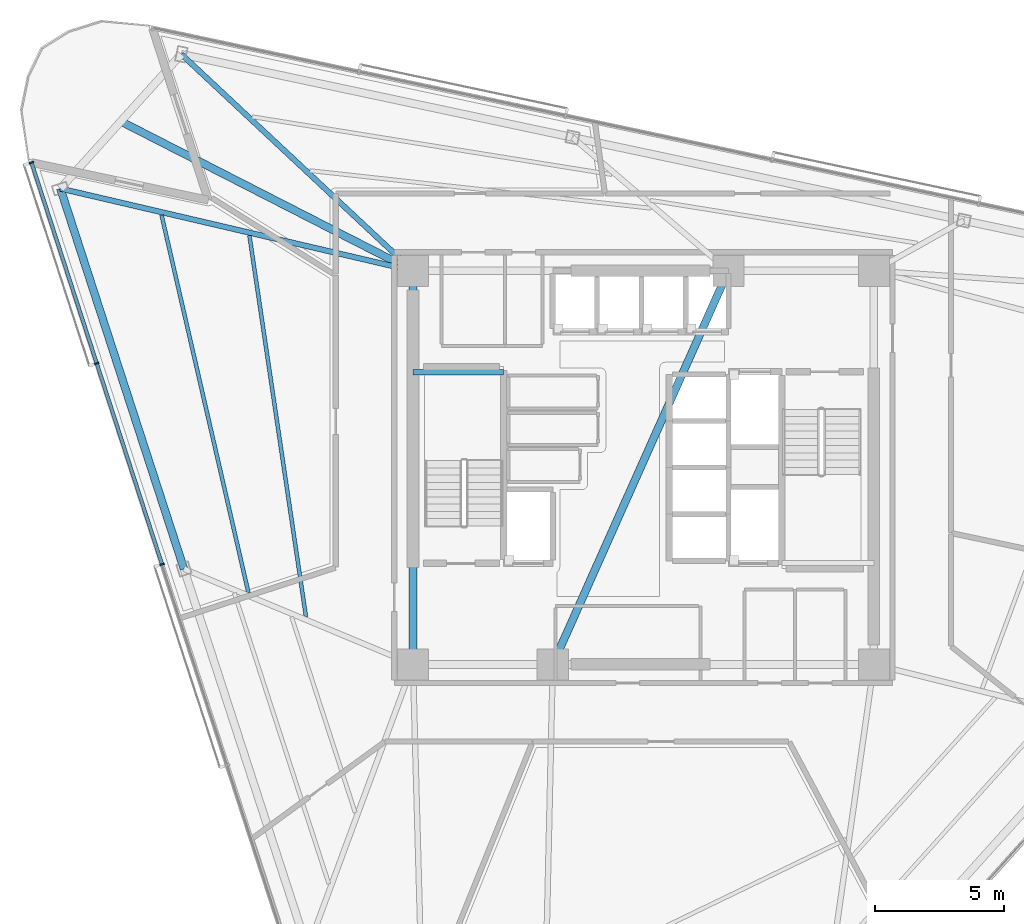
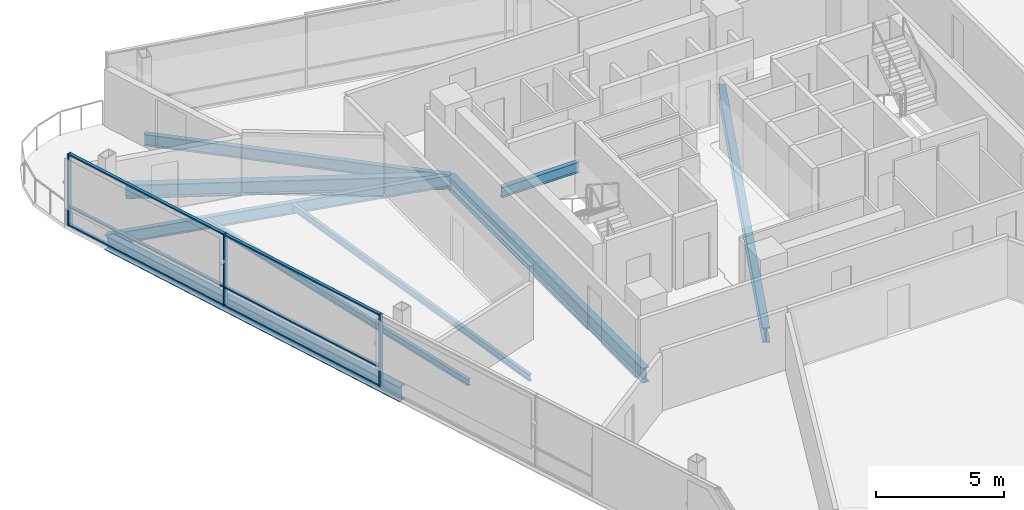
# One storey, part 5 of 17: 9 beams, 9 members, 1 element without a shape of its own.
"""IFC4 building model written with IfcOpenShell, lengths in metres."""

from ifc_helpers import new_model, si_unit, direction, frame, origin, origin_2d, place, context, subcontext, project, spatial, rectangle, i_section, extrude, material, layer, layer_set, material_profile, profile_set, type_object, element, aggregate, save


model = new_model("IFC4")

# Units and contexts
model_context = context("Model", 3, precision=1e-05, world=origin(), true_north=direction((0.0, 1.0)))
body_context = subcontext(model_context, "Body", "Model", "MODEL_VIEW")
ifc_project = project(units=[si_unit("LENGTHUNIT", "METRE"), si_unit("AREAUNIT", "SQUARE_METRE"), si_unit("VOLUMEUNIT", "CUBIC_METRE"), si_unit("PLANEANGLEUNIT", "RADIAN"), si_unit("MASSUNIT", "GRAM", prefix="KILO")], contexts=[model_context])

# Site, building, storey
site_placement = place(None, origin())
site = spatial("IfcSite", under=ifc_project, at=site_placement, CompositionType="ELEMENT")
building_placement = place(site_placement, origin())
building = spatial("IfcBuilding", under=site, at=building_placement, Name="Tharavind Bronze Gate", CompositionType="ELEMENT")
storey_placement = place(building_placement, frame((0.0, 0.0, 207.64990234375)))
storey = spatial("IfcBuildingStorey", under=building, at=storey_placement, Name="L53", CompositionType="ELEMENT", Elevation=207.64990234375)

# Curtain wall, members
ifc_material_1 = material(Name="Anodised Bronze Aluminium", Category="aluminium")
ifc_layer = layer(ifc_material_1, 0.219970703125)
ifc_layer_set = layer_set([ifc_layer], Name="Anodised Bronze Aluminium")
curtain_wall_type = type_object("IfcCurtainWallType", Name="UNITISED CURTAIN WALL MID OFFICE", PredefinedType="USERDEFINED", material=ifc_layer_set)
curtain_wall_placement = place(storey_placement, origin())
curtain_wall = element("IfcCurtainWall", 1, at=curtain_wall_placement, inside=storey, type_object=curtain_wall_type, Name="L53 unitised curtain wall mid office CW-L53-S1", ObjectType="UNITISED CURTAIN WALL", PredefinedType="USERDEFINED")
member_type_1 = type_object("IfcMemberType", Name="CURTAIN WALL BRONZE MULLION 65X180", PredefinedType="MULLION", material=ifc_material_1)
member_1_placement = place(storey_placement, frame((-23.630126953125, 11.780517578125, 0.000244140625), z_axis=(0.0, 0.0, 1.0), x_axis=(0.309016994375, -0.951056516295, 0.0)))
member_1 = element("IfcMember", 2, at=member_1_placement, type_object=member_type_1, Name="CW-L53-S1 mullion 1", PredefinedType="MULLION", context=body_context, shape_type="SweptSolid", body=[
    extrude(rectangle(XDim=0.06494140625, YDim=0.179931640625, at=origin_2d()), origin(), (0.0, 0.0, 1.0), 3.419921875),
])
member_2_placement = place(storey_placement, frame((-21.10986328125, 4.02392578125, 0.000244140625), z_axis=(0.0, 0.0, 1.0), x_axis=(0.309016994375, -0.951056516295, 0.0)))
member_2 = element("IfcMember", 3, at=member_2_placement, type_object=member_type_1, Name="CW-L53-S1 mullion 2", PredefinedType="MULLION", context=body_context, shape_type="SweptSolid", body=[
    extrude(rectangle(XDim=0.06494140625, YDim=0.179931640625, at=origin_2d()), origin(), (0.0, 0.0, 1.0), 3.419921875),
])
member_3_placement = place(storey_placement, frame((-18.589599609375, -3.732666015625, 0.000244140625), z_axis=(0.0, 0.0, 1.0), x_axis=(0.309016994375, -0.951056516295, 0.0)))
member_3 = element("IfcMember", 4, at=member_3_placement, type_object=member_type_1, Name="CW-L53-S1 mullion 3", PredefinedType="MULLION", context=body_context, shape_type="SweptSolid", body=[
    extrude(rectangle(XDim=0.06494140625, YDim=0.179931640625, at=origin_2d()), origin(), (0.0, 0.0, 1.0), 3.419921875),
])
member_type_2 = type_object("IfcMemberType", Name="CURTAIN WALL BRONZE TRANSOM 65X140", PredefinedType="USERDEFINED", material=ifc_material_1)
member_4_placement = place(storey_placement, frame((-22.3701171875, 7.902099609375, 0.000244140625), z_axis=(0.0, 0.0, 1.0), x_axis=(0.309016994375, -0.951056516295, 0.0)))
member_4 = element("IfcMember", 5, at=member_4_placement, type_object=member_type_2, Name="CW-L53-S1 transom TB1", ObjectType="TRANSOM", PredefinedType="USERDEFINED", context=body_context, shape_type="SweptSolid", body=[
    extrude(rectangle(XDim=8.102783203125, YDim=0.139892578125, at=origin_2d()), origin(), (0.0, 0.0, 1.0), 0.06494140625),
])
member_5_placement = place(storey_placement, frame((-22.3701171875, 7.902099609375, 0.86767578125), z_axis=(0.0, 0.0, 1.0), x_axis=(0.309016994375, -0.951056516295, 0.0)))
member_5 = element("IfcMember", 6, at=member_5_placement, type_object=member_type_2, Name="CW-L53-S1 transom TS1", ObjectType="TRANSOM", PredefinedType="USERDEFINED", context=body_context, shape_type="SweptSolid", body=[
    extrude(rectangle(XDim=8.102783203125, YDim=0.139892578125, at=origin_2d()), origin(), (0.0, 0.0, 1.0), 0.06494140625),
])
member_6_placement = place(storey_placement, frame((-22.3701171875, 7.902099609375, 3.355224609375), z_axis=(0.0, 0.0, 1.0), x_axis=(0.309016994375, -0.951056516295, 0.0)))
member_6 = element("IfcMember", 7, at=member_6_placement, type_object=member_type_2, Name="CW-L53-S1 transom TT1", ObjectType="TRANSOM", PredefinedType="USERDEFINED", context=body_context, shape_type="SweptSolid", body=[
    extrude(rectangle(XDim=8.102783203125, YDim=0.139892578125, at=origin_2d()), origin(), (0.0, 0.0, 1.0), 0.06494140625),
])
member_7_placement = place(storey_placement, frame((-19.849853515625, 0.145751953125, 0.000244140625), z_axis=(0.0, 0.0, 1.0), x_axis=(0.309016994375, -0.951056516295, 0.0)))
member_7 = element("IfcMember", 8, at=member_7_placement, type_object=member_type_2, Name="CW-L53-S1 transom TB2", ObjectType="TRANSOM", PredefinedType="USERDEFINED", context=body_context, shape_type="SweptSolid", body=[
    extrude(rectangle(XDim=8.102783203125, YDim=0.139892578125, at=origin_2d()), origin(), (0.0, 0.0, 1.0), 0.06494140625),
])
member_8_placement = place(storey_placement, frame((-19.849853515625, 0.145751953125, 0.86767578125), z_axis=(0.0, 0.0, 1.0), x_axis=(0.309016994375, -0.951056516295, 0.0)))
member_8 = element("IfcMember", 9, at=member_8_placement, type_object=member_type_2, Name="CW-L53-S1 transom TS2", ObjectType="TRANSOM", PredefinedType="USERDEFINED", context=body_context, shape_type="SweptSolid", body=[
    extrude(rectangle(XDim=8.102783203125, YDim=0.139892578125, at=origin_2d()), origin(), (0.0, 0.0, 1.0), 0.06494140625),
])
member_9_placement = place(storey_placement, frame((-19.849853515625, 0.145751953125, 3.355224609375), z_axis=(0.0, 0.0, 1.0), x_axis=(0.309016994375, -0.951056516295, 0.0)))
member_9 = element("IfcMember", 10, at=member_9_placement, type_object=member_type_2, Name="CW-L53-S1 transom TT2", ObjectType="TRANSOM", PredefinedType="USERDEFINED", context=body_context, shape_type="SweptSolid", body=[
    extrude(rectangle(XDim=8.102783203125, YDim=0.139892578125, at=origin_2d()), origin(), (0.0, 0.0, 1.0), 0.06494140625),
])
aggregate(curtain_wall, [member_1, member_2, member_3, member_4, member_5, member_6, member_7, member_8, member_9])

# Beams
ifc_material_2 = material(Name="Steel S355", Category="steel")
ifc_material_profile_1 = material_profile(ifc_material_2, i_section(OverallWidth=0.300048828125, OverallDepth=0.64990234375, WebThickness=0.01611328125, FlangeThickness=0.031005859375, at=origin_2d()), Name="HE650B")
ifc_profile_set_1 = profile_set([ifc_material_profile_1], Name="Steel S355")
beam_type_1 = type_object("IfcBeamType", Name="PRIMARY GIRDER HE650B", PredefinedType="USERDEFINED", material=ifc_profile_set_1)
beam_1_placement = place(storey_placement, frame((-8.89990234375, 7.60009765625, -0.5048828125), z_axis=(-0.890281411762, 0.455410812202, 0.0), x_axis=(-0.455410812202, -0.890281411762, 0.0)))
element("IfcBeam", 11, at=beam_1_placement, inside=storey, type_object=beam_type_1, Name="L53 primary girder he650b BM-L53-BLCSB", ObjectType="GIRDER", PredefinedType="USERDEFINED", context=body_context, shape_type="SweptSolid", body=[
    extrude(i_section(OverallWidth=0.300048828125, OverallDepth=0.64990234375, WebThickness=0.01611328125, FlangeThickness=0.031005859375, at=origin_2d()), origin(), (0.0, 0.0, 1.0), 12.67041015625),
])
ifc_material_profile_2 = material_profile(ifc_material_2, i_section(OverallWidth=0.199951171875, OverallDepth=0.5, WebThickness=0.01025390625, FlangeThickness=0.01611328125, at=origin_2d()), Name="IPE500")
ifc_profile_set_2 = profile_set([ifc_material_profile_2], Name="Steel S355")
beam_type_2 = type_object("IfcBeamType", Name="PRIMARY GIRDER IPE500", PredefinedType="USERDEFINED", material=ifc_profile_set_2)
beam_2_placement = place(storey_placement, frame((-8.89990234375, 3.679931640625, 1.35009765625), z_axis=(1.0, 0.0, 0.0), x_axis=(0.0, 1.0, 0.0)))
element("IfcBeam", 12, at=beam_2_placement, inside=storey, type_object=beam_type_2, Name="L53 primary girder ipe500 BM-LD-ST1-L53-1", ObjectType="GIRDER", PredefinedType="USERDEFINED", context=body_context, shape_type="SweptSolid", body=[
    extrude(i_section(OverallWidth=0.199951171875, OverallDepth=0.5, WebThickness=0.01025390625, FlangeThickness=0.01611328125, at=origin_2d()), origin(), (0.0, 0.0, 1.0), 3.5),
])
ifc_material_profile_3 = material_profile(ifc_material_2, i_section(OverallWidth=0.2099609375, OverallDepth=0.550048828125, WebThickness=0.010986328125, FlangeThickness=0.01708984375, at=origin_2d()), Name="IPE550")
ifc_profile_set_3 = profile_set([ifc_material_profile_3], Name="Steel S355")
beam_type_3 = type_object("IfcBeamType", Name="PRIMARY GIRDER IPE550", PredefinedType="USERDEFINED", material=ifc_profile_set_3)
beam_3_placement = place(storey_placement, frame((-22.515380859375, 10.77685546875, -0.454833984375), z_axis=(0.973844172145, -0.227216919219, 0.0), x_axis=(0.227216919219, 0.973844172145, 0.0)))
element("IfcBeam", 13, at=beam_3_placement, inside=storey, type_object=beam_type_3, Name="L53 primary girder ipe550 BM-L53-RAD01", ObjectType="GIRDER", PredefinedType="USERDEFINED", context=body_context, shape_type="SweptSolid", body=[
    extrude(i_section(OverallWidth=0.2099609375, OverallDepth=0.550048828125, WebThickness=0.010986328125, FlangeThickness=0.01708984375, at=origin_2d()), origin(), (0.0, 0.0, 1.0), 13.981201171875),
])
beam_4_placement = place(storey_placement, frame((-17.844970703125, 15.9638671875, -0.454833984375), z_axis=(0.730442397204, -0.682974307252, 0.0), x_axis=(0.682974307252, 0.730442397204, 0.0)))
element("IfcBeam", 14, at=beam_4_placement, inside=storey, type_object=beam_type_3, Name="L53 primary girder ipe550 BM-L53-RAD12", ObjectType="GIRDER", PredefinedType="USERDEFINED", context=body_context, shape_type="SweptSolid", body=[
    extrude(i_section(OverallWidth=0.2099609375, OverallDepth=0.550048828125, WebThickness=0.010986328125, FlangeThickness=0.01708984375, at=origin_2d()), origin(), (0.0, 0.0, 1.0), 12.24609375),
])
ifc_material_profile_4 = material_profile(ifc_material_2, i_section(OverallWidth=0.300048828125, OverallDepth=0.699951171875, WebThickness=0.01708984375, FlangeThickness=0.031982421875, at=origin_2d()), Name="HE700B")
ifc_profile_set_4 = profile_set([ifc_material_profile_4], Name="Steel S355")
beam_type_4 = type_object("IfcBeamType", Name="RING GIRDER HE700B", PredefinedType="USERDEFINED", material=ifc_profile_set_4)
beam_5_placement = place(storey_placement, frame((-8.89990234375, 7.60009765625, -0.52978515625), z_axis=(0.0, -1.0, 0.0), x_axis=(1.0, 0.0, 0.0)))
element("IfcBeam", 15, at=beam_5_placement, inside=storey, type_object=beam_type_4, Name="L53 ring girder he700b BM-L53-CR6", ObjectType="GIRDER", PredefinedType="USERDEFINED", context=body_context, shape_type="SweptSolid", body=[
    extrude(i_section(OverallWidth=0.300048828125, OverallDepth=0.699951171875, WebThickness=0.01708984375, FlangeThickness=0.031982421875, at=origin_2d()), origin(), (0.0, 0.0, 1.0), 15.2001953125),
])
beam_6_placement = place(storey_placement, frame((-3.5, -7.60009765625, -0.52978515625), z_axis=(0.407361644566, 0.913266932795, 0.0), x_axis=(-0.913266932795, 0.407361644566, 0.0)))
element("IfcBeam", 16, at=beam_6_placement, inside=storey, type_object=beam_type_4, Name="L53 ring girder he700b BM-L53-CR7", ObjectType="GIRDER", PredefinedType="USERDEFINED", context=body_context, shape_type="SweptSolid", body=[
    extrude(i_section(OverallWidth=0.300048828125, OverallDepth=0.699951171875, WebThickness=0.01708984375, FlangeThickness=0.031982421875, at=origin_2d()), origin(), (0.0, 0.0, 1.0), 16.643798828125),
])
beam_7_placement = place(storey_placement, frame((-22.515380859375, 10.77685546875, -0.52978515625), z_axis=(0.309006009957, -0.951060085279, 0.0), x_axis=(0.951060085279, 0.309006009957, 0.0)))
element("IfcBeam", 17, at=beam_7_placement, inside=storey, type_object=beam_type_4, Name="L53 ring girder he700b BM-L53-PRG01", ObjectType="GIRDER", PredefinedType="USERDEFINED", context=body_context, shape_type="SweptSolid", body=[
    extrude(i_section(OverallWidth=0.300048828125, OverallDepth=0.699951171875, WebThickness=0.01708984375, FlangeThickness=0.031982421875, at=origin_2d()), origin(), (0.0, 0.0, 1.0), 15.4453125),
])
ifc_material_profile_5 = material_profile(ifc_material_2, i_section(OverallWidth=0.14990234375, OverallDepth=0.300048828125, WebThickness=0.007080078125, FlangeThickness=0.0107421875, at=origin_2d()), Name="IPE300")
ifc_profile_set_5 = profile_set([ifc_material_profile_5], Name="Steel S355")
beam_type_5 = type_object("IfcBeamType", Name="SECONDARY FLOOR JOIST IPE300", PredefinedType="JOIST", material=ifc_profile_set_5)
beam_8_placement = place(storey_placement, frame((-15.214111328125, 8.961669921875, -0.329833984375), z_axis=(0.146719879942, -0.989178081454, 0.0), x_axis=(0.989178081454, 0.146719879942, 0.0)))
element("IfcBeam", 18, at=beam_8_placement, inside=storey, type_object=beam_type_5, Name="L53 secondary floor joist ipe300 BM-L53-JSTA01", PredefinedType="JOIST", context=body_context, shape_type="SweptSolid", body=[
    extrude(i_section(OverallWidth=0.14990234375, OverallDepth=0.300048828125, WebThickness=0.007080078125, FlangeThickness=0.0107421875, at=origin_2d()), origin(), (0.0, 0.0, 1.0), 14.8828125),
])
beam_9_placement = place(storey_placement, frame((-18.60791015625, 9.753662109375, -0.329833984375), z_axis=(0.224186420064, -0.974546278562, 0.0), x_axis=(0.974546278562, 0.224186420064, 0.0)))
element("IfcBeam", 19, at=beam_9_placement, inside=storey, type_object=beam_type_5, Name="L53 secondary floor joist ipe300 BM-L53-JSTB01", PredefinedType="JOIST", context=body_context, shape_type="SweptSolid", body=[
    extrude(i_section(OverallWidth=0.14990234375, OverallDepth=0.300048828125, WebThickness=0.007080078125, FlangeThickness=0.0107421875, at=origin_2d()), origin(), (0.0, 0.0, 1.0), 14.968505859375),
])

save(model, "model.ifc")
